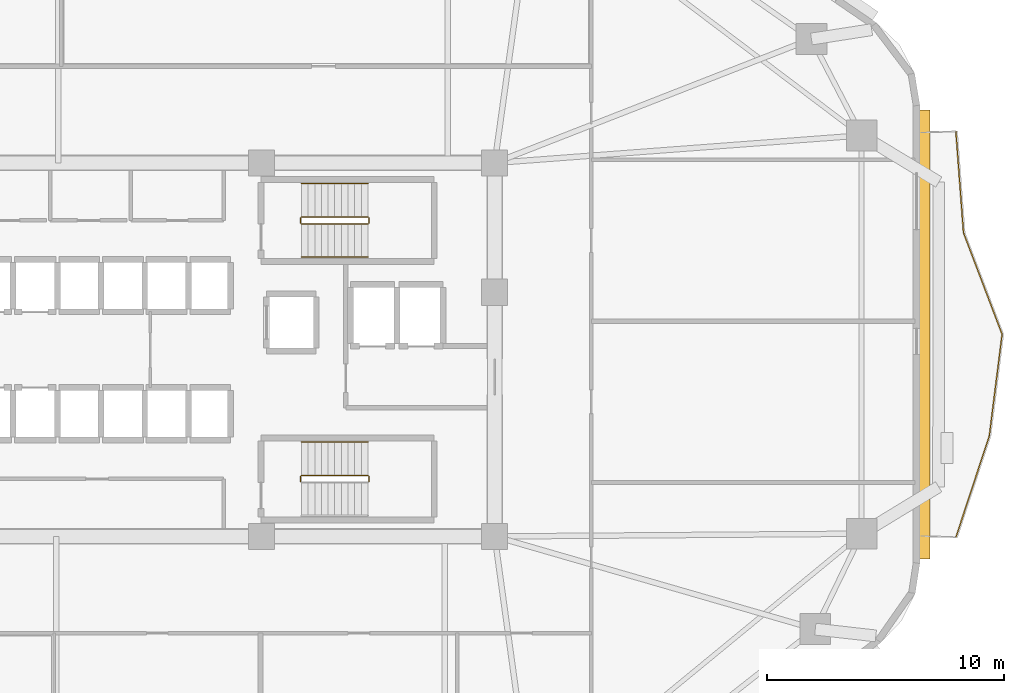
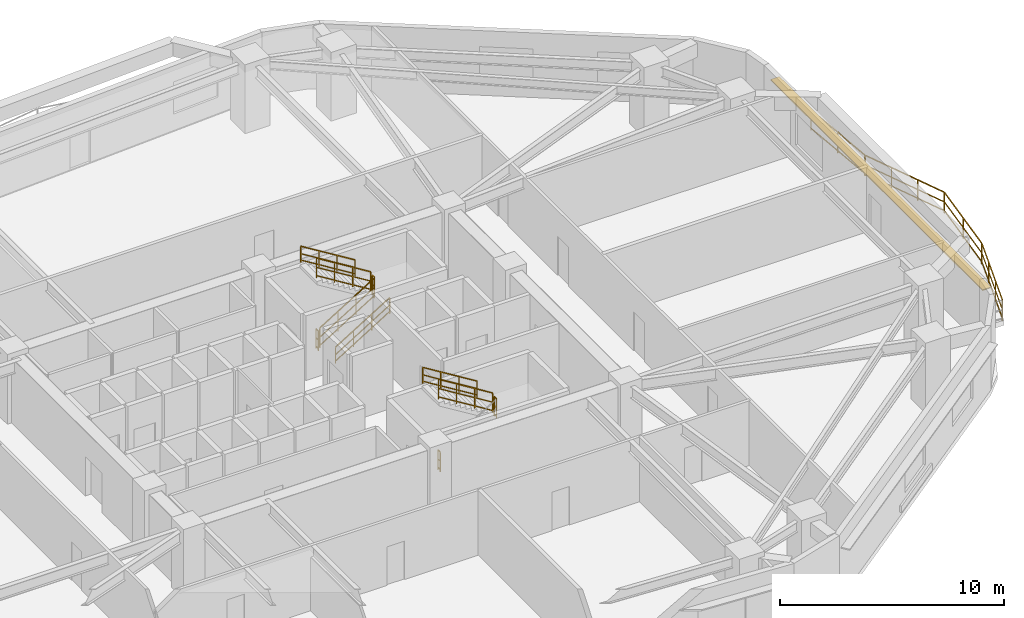
# One storey, part 8 of 9: 14 railings, 1 shading device.
"""IFC4 building model written with IfcOpenShell, lengths in metres."""

from ifc_helpers import new_model, si_unit, direction, frame, origin, origin_2d, place, context, subcontext, project, spatial, rectangle, extrude, material, layer, layer_set, type_object, element, save


model = new_model("IFC4")

# Units and contexts
model_context = context("Model", 3, precision=1e-05, world=origin(), true_north=direction((0.0, 1.0)))
body_context = subcontext(model_context, "Body", "Model", "MODEL_VIEW")
ifc_project = project(units=[si_unit("LENGTHUNIT", "METRE"), si_unit("AREAUNIT", "SQUARE_METRE"), si_unit("VOLUMEUNIT", "CUBIC_METRE"), si_unit("PLANEANGLEUNIT", "RADIAN"), si_unit("MASSUNIT", "GRAM", prefix="KILO")], contexts=[model_context])

# Site, building, storey
site_placement = place(None, origin())
site = spatial("IfcSite", under=ifc_project, at=site_placement, CompositionType="ELEMENT")
building_placement = place(site_placement, origin())
building = spatial("IfcBuilding", under=site, at=building_placement, Name="Zulverin Broadcast Headquarters", CompositionType="ELEMENT")
storey_placement = place(building_placement, frame((0.0, 0.0, 63.0)))
storey = spatial("IfcBuildingStorey", under=building, at=storey_placement, Name="L15", CompositionType="ELEMENT", Elevation=63.0)

# Railings
ifc_material_1 = material(Name="Brushed stainless steel & laminated glass balustrade", Category="steel")
railing_type_1 = type_object("IfcRailingType", Name="RL-GUARD-1150", PredefinedType="GUARDRAIL", material=ifc_material_1)
railing_1_placement = place(storey_placement, frame((67.724609375, 17.297607421875, 0.0)))
element("IfcRailing", 1, at=railing_1_placement, inside=storey, type_object=railing_type_1, Name="L15 Vertical-Forest Balcony Guardrail BAL_E Segment 02", PredefinedType="GUARDRAIL", context=body_context, shape_type="SweptSolid", body=[
    extrude(rectangle(XDim=0.048095703125, YDim=0.048095703125, at=origin_2d()), frame((0.0, 0.0, 1.1259765625), z_axis=(0.312955712624, 0.949767719991, 0.0), x_axis=(-0.949767719991, 0.312955712624, 0.0)), (0.0, 0.0, 1.0), 4.4794921875),
    extrude(rectangle(XDim=0.0419921875, YDim=0.0419921875, at=origin_2d()), frame((0.0, 0.0, 0.597900390625), z_axis=(0.312955712624, 0.949767719991, 0.0), x_axis=(-0.949767719991, 0.312955712624, 0.0)), (0.0, 0.0, 1.0), 4.4794921875),
    extrude(rectangle(XDim=0.0419921875, YDim=0.0419921875, at=origin_2d()), frame((0.0, 0.0, 0.1201171875), z_axis=(0.312955712624, 0.949767719991, 0.0), x_axis=(-0.949767719991, 0.312955712624, 0.0)), (0.0, 0.0, 1.0), 4.4794921875),
    extrude(rectangle(XDim=0.0419921875, YDim=0.0419921875, at=origin_2d()), origin(), (0.0, 0.0, 1.0), 1.101806640625),
    extrude(rectangle(XDim=0.0419921875, YDim=0.0419921875, at=origin_2d()), frame((0.46728515625, 1.418212890625, 0.0)), (0.0, 0.0, 1.0), 1.101806640625),
    extrude(rectangle(XDim=0.0419921875, YDim=0.0419921875, at=origin_2d()), frame((0.9345703125, 2.836181640625, 0.0)), (0.0, 0.0, 1.0), 1.101806640625),
    extrude(rectangle(XDim=0.0419921875, YDim=0.0419921875, at=origin_2d()), frame((1.40185546875, 4.25439453125, 0.0)), (0.0, 0.0, 1.0), 1.101806640625),
])
railing_2_placement = place(storey_placement, frame((69.133056640625, 21.5810546875, 0.0)))
element("IfcRailing", 2, at=railing_2_placement, inside=storey, type_object=railing_type_1, Name="L15 Vertical-Forest Balcony Guardrail BAL_E Segment 03", PredefinedType="GUARDRAIL", context=body_context, shape_type="SweptSolid", body=[
    extrude(rectangle(XDim=0.048095703125, YDim=0.048095703125, at=origin_2d()), frame((0.0, 0.0, 1.1259765625), z_axis=(0.124847851321, 0.99217589873, 0.0), x_axis=(-0.99217589873, 0.124847851321, 0.0)), (0.0, 0.0, 1.0), 4.286376953125),
    extrude(rectangle(XDim=0.0419921875, YDim=0.0419921875, at=origin_2d()), frame((0.0, 0.0, 0.597900390625), z_axis=(0.124847851321, 0.99217589873, 0.0), x_axis=(-0.99217589873, 0.124847851321, 0.0)), (0.0, 0.0, 1.0), 4.286376953125),
    extrude(rectangle(XDim=0.0419921875, YDim=0.0419921875, at=origin_2d()), frame((0.0, 0.0, 0.1201171875), z_axis=(0.124847851321, 0.99217589873, 0.0), x_axis=(-0.99217589873, 0.124847851321, 0.0)), (0.0, 0.0, 1.0), 4.286376953125),
    extrude(rectangle(XDim=0.0419921875, YDim=0.0419921875, at=origin_2d()), origin(), (0.0, 0.0, 1.0), 1.101806640625),
    extrude(rectangle(XDim=0.0419921875, YDim=0.0419921875, at=origin_2d()), frame((0.267578125, 2.12646484375, 0.0)), (0.0, 0.0, 1.0), 1.101806640625),
    extrude(rectangle(XDim=0.0419921875, YDim=0.0419921875, at=origin_2d()), frame((0.53515625, 4.2529296875, 0.0)), (0.0, 0.0, 1.0), 1.101806640625),
])
railing_3_placement = place(storey_placement, frame((69.664794921875, 25.86279296875, 0.0)))
element("IfcRailing", 3, at=railing_3_placement, inside=storey, type_object=railing_type_1, Name="L15 Vertical-Forest Balcony Guardrail BAL_E Segment 04", PredefinedType="GUARDRAIL", context=body_context, shape_type="SweptSolid", body=[
    extrude(rectangle(XDim=0.048095703125, YDim=0.048095703125, at=origin_2d()), frame((0.0, 0.0, 1.1259765625), z_axis=(-0.35546893997, 0.934688093813, 0.0), x_axis=(-0.934688093813, -0.35546893997, 0.0)), (0.0, 0.0, 1.0), 4.55224609375),
    extrude(rectangle(XDim=0.0419921875, YDim=0.0419921875, at=origin_2d()), frame((0.0, 0.0, 0.597900390625), z_axis=(-0.35546893997, 0.934688093813, 0.0), x_axis=(-0.934688093813, -0.35546893997, 0.0)), (0.0, 0.0, 1.0), 4.55224609375),
    extrude(rectangle(XDim=0.0419921875, YDim=0.0419921875, at=origin_2d()), frame((0.0, 0.0, 0.1201171875), z_axis=(-0.35546893997, 0.934688093813, 0.0), x_axis=(-0.934688093813, -0.35546893997, 0.0)), (0.0, 0.0, 1.0), 4.55224609375),
    extrude(rectangle(XDim=0.0419921875, YDim=0.0419921875, at=origin_2d()), origin(), (0.0, 0.0, 1.0), 1.101806640625),
    extrude(rectangle(XDim=0.0419921875, YDim=0.0419921875, at=origin_2d()), frame((-0.539306640625, 1.418212890625, 0.0)), (0.0, 0.0, 1.0), 1.101806640625),
    extrude(rectangle(XDim=0.0419921875, YDim=0.0419921875, at=origin_2d()), frame((-1.078857421875, 2.836669921875, 0.0)), (0.0, 0.0, 1.0), 1.101806640625),
    extrude(rectangle(XDim=0.0419921875, YDim=0.0419921875, at=origin_2d()), frame((-1.6181640625, 4.2548828125, 0.0)), (0.0, 0.0, 1.0), 1.101806640625),
])
railing_4_placement = place(storey_placement, frame((68.040283203125, 30.146728515625, 0.0)))
element("IfcRailing", 4, at=railing_4_placement, inside=storey, type_object=railing_type_1, Name="L15 Vertical-Forest Balcony Guardrail BAL_E Segment 05", PredefinedType="GUARDRAIL", context=body_context, shape_type="SweptSolid", body=[
    extrude(rectangle(XDim=0.048095703125, YDim=0.048095703125, at=origin_2d()), frame((0.0, 0.0, 1.1259765625), z_axis=(-0.074822681477, 0.997196854356, 0.0), x_axis=(-0.997196854356, -0.074822681477, 0.0)), (0.0, 0.0, 1.0), 4.2646484375),
    extrude(rectangle(XDim=0.0419921875, YDim=0.0419921875, at=origin_2d()), frame((0.0, 0.0, 0.597900390625), z_axis=(-0.074822681477, 0.997196854356, 0.0), x_axis=(-0.997196854356, -0.074822681477, 0.0)), (0.0, 0.0, 1.0), 4.2646484375),
    extrude(rectangle(XDim=0.0419921875, YDim=0.0419921875, at=origin_2d()), frame((0.0, 0.0, 0.1201171875), z_axis=(-0.074822681477, 0.997196854356, 0.0), x_axis=(-0.997196854356, -0.074822681477, 0.0)), (0.0, 0.0, 1.0), 4.2646484375),
    extrude(rectangle(XDim=0.0419921875, YDim=0.0419921875, at=origin_2d()), origin(), (0.0, 0.0, 1.0), 1.101806640625),
    extrude(rectangle(XDim=0.0419921875, YDim=0.0419921875, at=origin_2d()), frame((-0.15966796875, 2.12646484375, 0.0)), (0.0, 0.0, 1.0), 1.101806640625),
    extrude(rectangle(XDim=0.0419921875, YDim=0.0419921875, at=origin_2d()), frame((-0.319091796875, 4.252685546875, 0.0)), (0.0, 0.0, 1.0), 1.101806640625),
])
ifc_material_2 = material(Name="Painted galvanized steel tubular guardrail S355JR", Category="steel")
railing_type_2 = type_object("IfcRailingType", Name="RL-ST-GUARD", PredefinedType="GUARDRAIL", material=ifc_material_2)
railing_5_placement = place(storey_placement, frame((40.1298828125, 30.5, 0.172607421875)))
element("IfcRailing", 5, at=railing_5_placement, inside=storey, type_object=railing_type_2, Name="L15 ST-1 stair guard 1", PredefinedType="GUARDRAIL", context=body_context, shape_type="SweptSolid", body=[
    extrude(rectangle(XDim=0.048095703125, YDim=0.048095703125, at=origin_2d()), frame((0.0, 0.0, 1.076171875), z_axis=(0.851089632645, 0.0, 0.525020415988), x_axis=(0.0, 1.0, 0.0)), (0.0, 0.0, 1.0), 3.2900390625),
    extrude(rectangle(XDim=0.0419921875, YDim=0.0419921875, at=origin_2d()), frame((0.0, 0.0, 0.572021484375), z_axis=(0.851089632645, 0.0, 0.525020415988), x_axis=(0.0, 1.0, 0.0)), (0.0, 0.0, 1.0), 3.2900390625),
    extrude(rectangle(XDim=0.0419921875, YDim=0.0419921875, at=origin_2d()), frame((0.0, 0.0, 0.1201171875), z_axis=(0.851089632645, 0.0, 0.525020415988), x_axis=(0.0, 1.0, 0.0)), (0.0, 0.0, 1.0), 3.2900390625),
    extrude(rectangle(XDim=0.0419921875, YDim=0.0419921875, at=origin_2d()), origin(), (0.0, 0.0, 1.0), 1.052001953125),
    extrude(rectangle(XDim=0.0419921875, YDim=0.0419921875, at=origin_2d()), frame((0.933349609375, 0.0, 0.57568359375)), (0.0, 0.0, 1.0), 1.052001953125),
    extrude(rectangle(XDim=0.0419921875, YDim=0.0419921875, at=origin_2d()), frame((1.86669921875, 0.0, 1.151611328125)), (0.0, 0.0, 1.0), 1.052001953125),
    extrude(rectangle(XDim=0.0419921875, YDim=0.0419921875, at=origin_2d()), frame((2.800048828125, 0.0, 1.727294921875)), (0.0, 0.0, 1.0), 1.052001953125),
])
railing_6_placement = place(storey_placement, frame((42.97998046875, 30.550048828125, 1.89990234375)))
element("IfcRailing", 6, at=railing_6_placement, inside=storey, type_object=railing_type_2, Name="L15 ST-1 stair guard 2", PredefinedType="GUARDRAIL", context=body_context, shape_type="SweptSolid", body=[
    extrude(rectangle(XDim=0.048095703125, YDim=0.048095703125, at=origin_2d()), frame((0.0, 0.0, 1.076171875), z_axis=(0.0, 1.0, 0.0), x_axis=(-1.0, 0.0, 0.0)), (0.0, 0.0, 1.0), 0.199951171875),
    extrude(rectangle(XDim=0.0419921875, YDim=0.0419921875, at=origin_2d()), frame((0.0, 0.0, 0.572021484375), z_axis=(0.0, 1.0, 0.0), x_axis=(-1.0, 0.0, 0.0)), (0.0, 0.0, 1.0), 0.199951171875),
    extrude(rectangle(XDim=0.0419921875, YDim=0.0419921875, at=origin_2d()), frame((0.0, 0.0, 0.1201171875), z_axis=(0.0, 1.0, 0.0), x_axis=(-1.0, 0.0, 0.0)), (0.0, 0.0, 1.0), 0.199951171875),
    extrude(rectangle(XDim=0.0419921875, YDim=0.0419921875, at=origin_2d()), origin(), (0.0, 0.0, 1.0), 1.052001953125),
    extrude(rectangle(XDim=0.0419921875, YDim=0.0419921875, at=origin_2d()), frame((0.0, 0.199951171875, 0.0)), (0.0, 0.0, 1.0), 1.052001953125),
])
railing_7_placement = place(storey_placement, frame((42.929931640625, 30.800048828125, 2.07275390625)))
element("IfcRailing", 7, at=railing_7_placement, inside=storey, type_object=railing_type_2, Name="L15 ST-1 stair guard 3", PredefinedType="GUARDRAIL", context=body_context, shape_type="SweptSolid", body=[
    extrude(rectangle(XDim=0.048095703125, YDim=0.048095703125, at=origin_2d()), frame((0.0, 0.0, 1.076171875), z_axis=(-0.851089632645, 0.0, 0.525020415988), x_axis=(0.0, -1.0, 0.0)), (0.0, 0.0, 1.0), 3.2900390625),
    extrude(rectangle(XDim=0.0419921875, YDim=0.0419921875, at=origin_2d()), frame((0.0, 0.0, 0.572021484375), z_axis=(-0.851089632645, 0.0, 0.525020415988), x_axis=(0.0, -1.0, 0.0)), (0.0, 0.0, 1.0), 3.2900390625),
    extrude(rectangle(XDim=0.0419921875, YDim=0.0419921875, at=origin_2d()), frame((0.0, 0.0, 0.1201171875), z_axis=(-0.851089632645, 0.0, 0.525020415988), x_axis=(0.0, -1.0, 0.0)), (0.0, 0.0, 1.0), 3.2900390625),
    extrude(rectangle(XDim=0.0419921875, YDim=0.0419921875, at=origin_2d()), origin(), (0.0, 0.0, 1.0), 1.052001953125),
    extrude(rectangle(XDim=0.0419921875, YDim=0.0419921875, at=origin_2d()), frame((-0.933349609375, 0.0, 0.57568359375)), (0.0, 0.0, 1.0), 1.052001953125),
    extrude(rectangle(XDim=0.0419921875, YDim=0.0419921875, at=origin_2d()), frame((-1.86669921875, 0.0, 1.151611328125)), (0.0, 0.0, 1.0), 1.052001953125),
    extrude(rectangle(XDim=0.0419921875, YDim=0.0419921875, at=origin_2d()), frame((-2.800048828125, 0.0, 1.727294921875)), (0.0, 0.0, 1.0), 1.052001953125),
])
railing_8_placement = place(storey_placement, frame((40.080078125, 30.550048828125, 0.0)))
element("IfcRailing", 8, at=railing_8_placement, inside=storey, type_object=railing_type_2, Name="L15 ST-1 stair guard 4", PredefinedType="GUARDRAIL", context=body_context, shape_type="SweptSolid", body=[
    extrude(rectangle(XDim=0.048095703125, YDim=0.048095703125, at=origin_2d()), frame((0.0, 0.0, 1.076171875), z_axis=(0.0, 1.0, 0.0), x_axis=(-1.0, 0.0, 0.0)), (0.0, 0.0, 1.0), 0.199951171875),
    extrude(rectangle(XDim=0.0419921875, YDim=0.0419921875, at=origin_2d()), frame((0.0, 0.0, 0.572021484375), z_axis=(0.0, 1.0, 0.0), x_axis=(-1.0, 0.0, 0.0)), (0.0, 0.0, 1.0), 0.199951171875),
    extrude(rectangle(XDim=0.0419921875, YDim=0.0419921875, at=origin_2d()), frame((0.0, 0.0, 0.1201171875), z_axis=(0.0, 1.0, 0.0), x_axis=(-1.0, 0.0, 0.0)), (0.0, 0.0, 1.0), 0.199951171875),
    extrude(rectangle(XDim=0.0419921875, YDim=0.0419921875, at=origin_2d()), origin(), (0.0, 0.0, 1.0), 1.052001953125),
    extrude(rectangle(XDim=0.0419921875, YDim=0.0419921875, at=origin_2d()), frame((0.0, 0.199951171875, 0.0)), (0.0, 0.0, 1.0), 1.052001953125),
])
railing_9_placement = place(storey_placement, frame((42.97998046875, 19.64990234375, 1.89990234375)))
element("IfcRailing", 9, at=railing_9_placement, inside=storey, type_object=railing_type_2, Name="L15 ST-2 stair guard 2", PredefinedType="GUARDRAIL", context=body_context, shape_type="SweptSolid", body=[
    extrude(rectangle(XDim=0.048095703125, YDim=0.048095703125, at=origin_2d()), frame((0.0, 0.0, 1.076171875), z_axis=(0.0, 1.0, 0.0), x_axis=(-1.0, 0.0, 0.0)), (0.0, 0.0, 1.0), 0.2001953125),
    extrude(rectangle(XDim=0.0419921875, YDim=0.0419921875, at=origin_2d()), frame((0.0, 0.0, 0.572021484375), z_axis=(0.0, 1.0, 0.0), x_axis=(-1.0, 0.0, 0.0)), (0.0, 0.0, 1.0), 0.2001953125),
    extrude(rectangle(XDim=0.0419921875, YDim=0.0419921875, at=origin_2d()), frame((0.0, 0.0, 0.1201171875), z_axis=(0.0, 1.0, 0.0), x_axis=(-1.0, 0.0, 0.0)), (0.0, 0.0, 1.0), 0.2001953125),
    extrude(rectangle(XDim=0.0419921875, YDim=0.0419921875, at=origin_2d()), origin(), (0.0, 0.0, 1.0), 1.052001953125),
    extrude(rectangle(XDim=0.0419921875, YDim=0.0419921875, at=origin_2d()), frame((0.0, 0.2001953125, 0.0)), (0.0, 0.0, 1.0), 1.052001953125),
])
railing_10_placement = place(storey_placement, frame((42.929931640625, 19.89990234375, 2.07275390625)))
element("IfcRailing", 10, at=railing_10_placement, inside=storey, type_object=railing_type_2, Name="L15 ST-2 stair guard 3", PredefinedType="GUARDRAIL", context=body_context, shape_type="SweptSolid", body=[
    extrude(rectangle(XDim=0.048095703125, YDim=0.048095703125, at=origin_2d()), frame((0.0, 0.0, 1.076171875), z_axis=(-0.851089632645, 0.0, 0.525020415988), x_axis=(0.0, -1.0, 0.0)), (0.0, 0.0, 1.0), 3.2900390625),
    extrude(rectangle(XDim=0.0419921875, YDim=0.0419921875, at=origin_2d()), frame((0.0, 0.0, 0.572021484375), z_axis=(-0.851089632645, 0.0, 0.525020415988), x_axis=(0.0, -1.0, 0.0)), (0.0, 0.0, 1.0), 3.2900390625),
    extrude(rectangle(XDim=0.0419921875, YDim=0.0419921875, at=origin_2d()), frame((0.0, 0.0, 0.1201171875), z_axis=(-0.851089632645, 0.0, 0.525020415988), x_axis=(0.0, -1.0, 0.0)), (0.0, 0.0, 1.0), 3.2900390625),
    extrude(rectangle(XDim=0.0419921875, YDim=0.0419921875, at=origin_2d()), origin(), (0.0, 0.0, 1.0), 1.052001953125),
    extrude(rectangle(XDim=0.0419921875, YDim=0.0419921875, at=origin_2d()), frame((-0.933349609375, 0.0, 0.57568359375)), (0.0, 0.0, 1.0), 1.052001953125),
    extrude(rectangle(XDim=0.0419921875, YDim=0.0419921875, at=origin_2d()), frame((-1.86669921875, 0.0, 1.151611328125)), (0.0, 0.0, 1.0), 1.052001953125),
    extrude(rectangle(XDim=0.0419921875, YDim=0.0419921875, at=origin_2d()), frame((-2.800048828125, 0.0, 1.727294921875)), (0.0, 0.0, 1.0), 1.052001953125),
])
railing_11_placement = place(storey_placement, frame((40.080078125, 19.64990234375, 0.0)))
element("IfcRailing", 11, at=railing_11_placement, inside=storey, type_object=railing_type_2, Name="L15 ST-2 stair guard 4", PredefinedType="GUARDRAIL", context=body_context, shape_type="SweptSolid", body=[
    extrude(rectangle(XDim=0.048095703125, YDim=0.048095703125, at=origin_2d()), frame((0.0, 0.0, 1.076171875), z_axis=(0.0, 1.0, 0.0), x_axis=(-1.0, 0.0, 0.0)), (0.0, 0.0, 1.0), 0.2001953125),
    extrude(rectangle(XDim=0.0419921875, YDim=0.0419921875, at=origin_2d()), frame((0.0, 0.0, 0.572021484375), z_axis=(0.0, 1.0, 0.0), x_axis=(-1.0, 0.0, 0.0)), (0.0, 0.0, 1.0), 0.2001953125),
    extrude(rectangle(XDim=0.0419921875, YDim=0.0419921875, at=origin_2d()), frame((0.0, 0.0, 0.1201171875), z_axis=(0.0, 1.0, 0.0), x_axis=(-1.0, 0.0, 0.0)), (0.0, 0.0, 1.0), 0.2001953125),
    extrude(rectangle(XDim=0.0419921875, YDim=0.0419921875, at=origin_2d()), origin(), (0.0, 0.0, 1.0), 1.052001953125),
    extrude(rectangle(XDim=0.0419921875, YDim=0.0419921875, at=origin_2d()), frame((0.0, 0.2001953125, 0.0)), (0.0, 0.0, 1.0), 1.052001953125),
])
ifc_material_3 = material(Name="Brushed stainless steel 48 mm handrail", Category="steel")
railing_type_3 = type_object("IfcRailingType", Name="RL-ST-HAND", PredefinedType="HANDRAIL", material=ifc_material_3)
railing_12_placement = place(storey_placement, frame((40.1298828125, 29.10009765625, 0.172607421875)))
element("IfcRailing", 12, at=railing_12_placement, inside=storey, type_object=railing_type_3, Name="L15 ST-1 stair handrail 1", PredefinedType="HANDRAIL", context=body_context, shape_type="SweptSolid", body=[
    extrude(rectangle(XDim=0.048095703125, YDim=0.048095703125, at=origin_2d()), frame((0.0, 0.0, 0.8759765625), z_axis=(0.851089632645, 0.0, 0.525020415988), x_axis=(0.0, 1.0, 0.0)), (0.0, 0.0, 1.0), 3.2900390625),
    extrude(rectangle(XDim=0.0419921875, YDim=0.0419921875, at=origin_2d()), frame((0.0, 0.0, 0.468017578125), z_axis=(0.851089632645, 0.0, 0.525020415988), x_axis=(0.0, 1.0, 0.0)), (0.0, 0.0, 1.0), 3.2900390625),
    extrude(rectangle(XDim=0.0419921875, YDim=0.0419921875, at=origin_2d()), frame((0.0, 0.0, 0.1201171875), z_axis=(0.851089632645, 0.0, 0.525020415988), x_axis=(0.0, 1.0, 0.0)), (0.0, 0.0, 1.0), 3.2900390625),
    extrude(rectangle(XDim=0.0419921875, YDim=0.0419921875, at=origin_2d()), origin(), (0.0, 0.0, 1.0), 0.851806640625),
    extrude(rectangle(XDim=0.0419921875, YDim=0.0419921875, at=origin_2d()), frame((0.933349609375, 0.0, 0.57568359375)), (0.0, 0.0, 1.0), 0.851806640625),
    extrude(rectangle(XDim=0.0419921875, YDim=0.0419921875, at=origin_2d()), frame((1.86669921875, 0.0, 1.151611328125)), (0.0, 0.0, 1.0), 0.851806640625),
    extrude(rectangle(XDim=0.0419921875, YDim=0.0419921875, at=origin_2d()), frame((2.800048828125, 0.0, 1.727294921875)), (0.0, 0.0, 1.0), 0.851806640625),
])
for number, where, name in (
    (13, (42.929931640625, 32.199951171875, 2.07275390625), "L15 ST-1 stair handrail 2"),
    (14, (42.929931640625, 21.300048828125, 2.07275390625), "L15 ST-2 stair handrail 2"),
):
    element("IfcRailing", number, at=place(storey_placement, frame(where)), inside=storey, type_object=railing_type_3, Name=name, PredefinedType="HANDRAIL", context=body_context, shape_type="SweptSolid", body=[
        extrude(rectangle(XDim=0.048095703125, YDim=0.048095703125, at=origin_2d()), frame((0.0, 0.0, 0.8759765625), z_axis=(-0.851089632645, 0.0, 0.525020415988), x_axis=(0.0, -1.0, 0.0)), (0.0, 0.0, 1.0), 3.2900390625),
        extrude(rectangle(XDim=0.0419921875, YDim=0.0419921875, at=origin_2d()), frame((0.0, 0.0, 0.468017578125), z_axis=(-0.851089632645, 0.0, 0.525020415988), x_axis=(0.0, -1.0, 0.0)), (0.0, 0.0, 1.0), 3.2900390625),
        extrude(rectangle(XDim=0.0419921875, YDim=0.0419921875, at=origin_2d()), frame((0.0, 0.0, 0.1201171875), z_axis=(-0.851089632645, 0.0, 0.525020415988), x_axis=(0.0, -1.0, 0.0)), (0.0, 0.0, 1.0), 3.2900390625),
        extrude(rectangle(XDim=0.0419921875, YDim=0.0419921875, at=origin_2d()), origin(), (0.0, 0.0, 1.0), 0.851806640625),
        extrude(rectangle(XDim=0.0419921875, YDim=0.0419921875, at=origin_2d()), frame((-0.933349609375, 0.0, 0.57568359375)), (0.0, 0.0, 1.0), 0.851806640625),
        extrude(rectangle(XDim=0.0419921875, YDim=0.0419921875, at=origin_2d()), frame((-1.86669921875, 0.0, 1.151611328125)), (0.0, 0.0, 1.0), 0.851806640625),
        extrude(rectangle(XDim=0.0419921875, YDim=0.0419921875, at=origin_2d()), frame((-2.800048828125, 0.0, 1.727294921875)), (0.0, 0.0, 1.0), 0.851806640625),
    ])

# Shading device
ifc_material_4 = material(Name="Anodized pale-metal aluminium sunshade", Category="aluminium")
ifc_layer = layer(ifc_material_4, 0.06005859375, Name="Anodized pale-metal aluminium sunshade", Category="aluminium")
ifc_layer_set = layer_set([ifc_layer], Name="Anodized pale-metal aluminium sunshade")
shading_device_type = type_object("IfcShadingDeviceType", Name="SS-01_PALE_METAL_ALUMINIUM_SUNSHADE", PredefinedType="USERDEFINED", material=ifc_layer_set)
shading_device_placement = place(storey_placement, frame((66.39990234375, 25.848876953125, 2.7099609375), z_axis=(0.0, 0.0, 1.0), x_axis=(0.0, 1.0, 0.0)))
element("IfcShadingDevice", 15, at=shading_device_placement, inside=storey, type_object=shading_device_type, Name="L15 Horizontal Pale-Metal Sunshade Band 3", ObjectType="SUNSHADE", PredefinedType="USERDEFINED", context=body_context, shape_type="SweptSolid", body=[
    extrude(rectangle(XDim=18.93115234375, YDim=0.449951171875, at=origin_2d()), origin(), (0.0, 0.0, 1.0), 0.06005859375),
])

save(model, "model.ifc")
